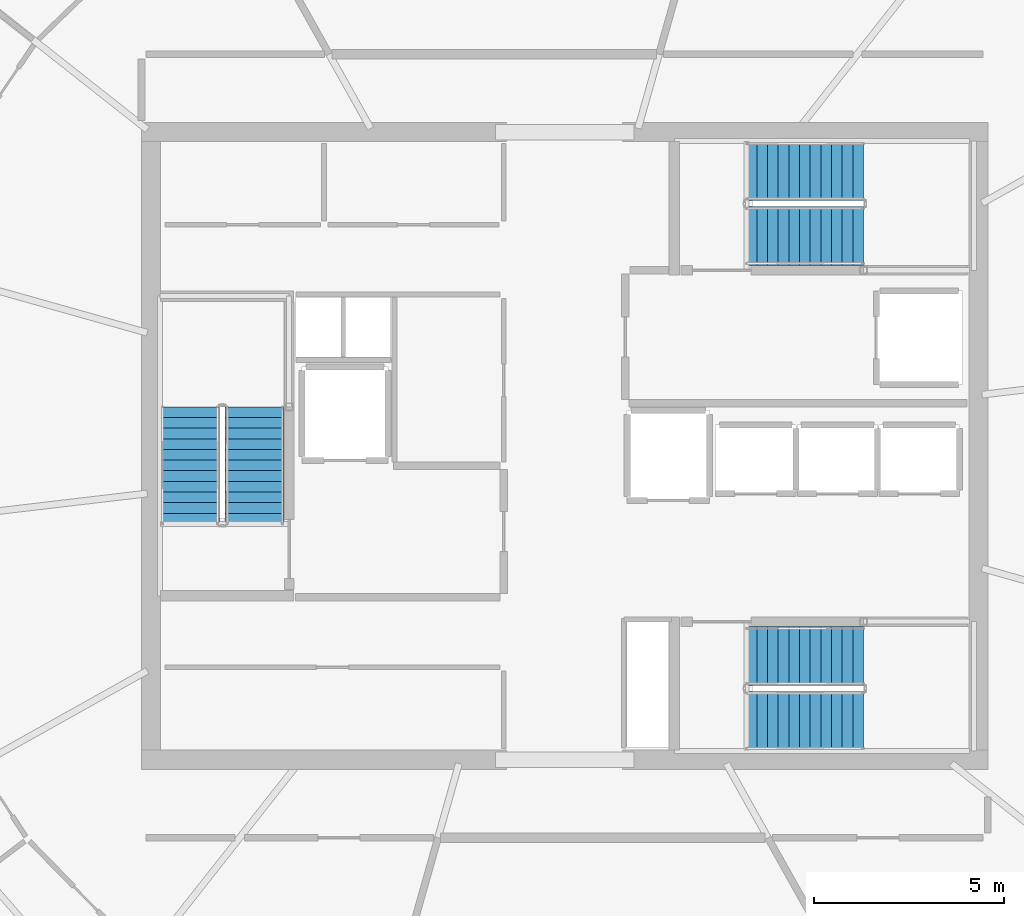
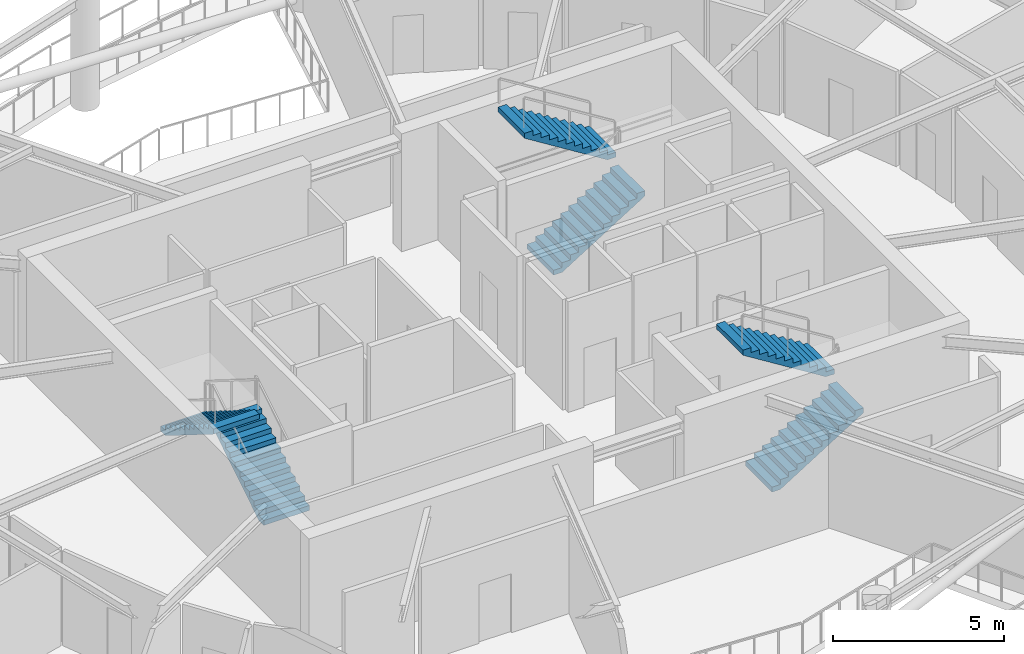
# One storey, part 17 of 22: 6 stair flights, 3 elements without a shape of their own.
"""IFC4 building model written with IfcOpenShell, lengths in metres."""

from ifc_helpers import new_model, si_unit, direction, frame, origin, place, context, subcontext, project, spatial, polyline, outline, extrude, material, type_object, element, aggregate, save


model = new_model("IFC4")

# Units and contexts
model_context = context("Model", 3, precision=1e-05, world=origin(), true_north=direction((0.0, 1.0)))
body_context = subcontext(model_context, "Body", "Model", "MODEL_VIEW")
ifc_project = project(units=[si_unit("LENGTHUNIT", "METRE"), si_unit("AREAUNIT", "SQUARE_METRE"), si_unit("VOLUMEUNIT", "CUBIC_METRE"), si_unit("PLANEANGLEUNIT", "RADIAN"), si_unit("MASSUNIT", "GRAM", prefix="KILO")], contexts=[model_context])

# Site, building, storey
site_placement = place(None, origin())
site = spatial("IfcSite", under=ifc_project, at=site_placement, CompositionType="ELEMENT")
building_placement = place(site_placement, origin())
building = spatial("IfcBuilding", under=site, at=building_placement, Name="Kazma Halo Residences", CompositionType="ELEMENT")
storey_placement = place(building_placement, frame((0.0, 0.0, 326.300048828125)))
storey = spatial("IfcBuildingStorey", under=building, at=storey_placement, Name="L82", CompositionType="ELEMENT", Elevation=326.300048828125)

# Stair, stair flights
ifc_material = material(Name="Concrete C50/60", Category="concrete")
stair_type = type_object("IfcStairType", Name="STR-RES2", PredefinedType="HALF_TURN_STAIR", material=ifc_material)
stair_1_placement = place(storey_placement, origin())
stair_1 = element("IfcStair", 1, at=stair_1_placement, inside=storey, type_object=stair_type, Name="L82 Core exit stair ST-01", PredefinedType="HALF_TURN_STAIR")
stair_flight_type = type_object("IfcStairFlightType", Name="STR-RES2-FLT", PredefinedType="STRAIGHT", material=ifc_material)
stair_flight_1_placement = place(storey_placement, frame((40.27490234375, 39.949951171875, 0.0), z_axis=(0.0, 0.0, 1.0), x_axis=(0.0, 1.0, 0.0)))
stair_flight_1 = element("IfcStairFlight", 2, at=stair_flight_1_placement, type_object=stair_flight_type, Name="ST-01 flight 1", NumberOfRisers=12, NumberOfTreads=11, PredefinedType="STRAIGHT", RiserHeight=0.175, TreadLength=0.28, context=body_context, shape_type="SweptSolid", body=[
    extrude(outline(polyline([(0.0, 0.0), (0.0, 0.175048828125), (0.280029296875, 0.175048828125), (0.280029296875, 0.35009765625), (0.56005859375, 0.35009765625), (0.56005859375, 0.52490234375), (0.840087890625, 0.52490234375), (0.840087890625, 0.699951171875), (1.1201171875, 0.699951171875), (1.1201171875, 0.875), (1.39990234375, 0.875), (1.39990234375, 1.050048828125), (1.679931640625, 1.050048828125), (1.679931640625, 1.22509765625), (1.9599609375, 1.22509765625), (1.9599609375, 1.39990234375), (2.239990234375, 1.39990234375), (2.239990234375, 1.574951171875), (2.52001953125, 1.574951171875), (2.52001953125, 1.75), (2.800048828125, 1.75), (2.800048828125, 1.925048828125), (3.080078125, 1.925048828125), (3.080078125, 2.10009765625), (3.080078125, 1.748291015625), (0.28271484375, 0.0), (0.0, 0.0)])), frame((0.0, 0.77490234375, 0.0), z_axis=(0.0, -1.0, 0.0), x_axis=(1.0, 0.0, 0.0)), (0.0, 0.0, 1.0), 1.550048828125),
])
stair_flight_2_placement = place(storey_placement, frame((38.574951171875, 43.030029296875, 2.099853515625), z_axis=(0.0, 0.0, 1.0), x_axis=(0.0, -1.0, 0.0)))
stair_flight_2 = element("IfcStairFlight", 3, at=stair_flight_2_placement, type_object=stair_flight_type, Name="ST-01 flight 2", NumberOfRisers=12, NumberOfTreads=11, PredefinedType="STRAIGHT", RiserHeight=0.175, TreadLength=0.28, context=body_context, shape_type="SweptSolid", body=[
    extrude(outline(polyline([(0.0, 0.0), (0.0, 0.175048828125), (0.280029296875, 0.175048828125), (0.280029296875, 0.35009765625), (0.56005859375, 0.35009765625), (0.56005859375, 0.52490234375), (0.840087890625, 0.52490234375), (0.840087890625, 0.699951171875), (1.1201171875, 0.699951171875), (1.1201171875, 0.875), (1.39990234375, 0.875), (1.39990234375, 1.050048828125), (1.679931640625, 1.050048828125), (1.679931640625, 1.22509765625), (1.9599609375, 1.22509765625), (1.9599609375, 1.39990234375), (2.239990234375, 1.39990234375), (2.239990234375, 1.574951171875), (2.52001953125, 1.574951171875), (2.52001953125, 1.75), (2.800048828125, 1.75), (2.800048828125, 1.925048828125), (3.080078125, 1.925048828125), (3.080078125, 2.10009765625), (3.080078125, 1.748291015625), (0.28271484375, 0.0), (0.0, 0.0)])), frame((0.0, 0.77490234375, 0.0), z_axis=(0.0, -1.0, 0.0), x_axis=(1.0, 0.0, 0.0)), (0.0, 0.0, 1.0), 1.550048828125),
])
aggregate(stair_1, [stair_flight_1, stair_flight_2])

stair_2_placement = place(storey_placement, origin())
stair_2 = element("IfcStair", 4, at=stair_2_placement, inside=storey, type_object=stair_type, Name="L82 Core exit stair ST-02", PredefinedType="HALF_TURN_STAIR")
stair_flight_3_placement = place(storey_placement, frame((53.199951171875, 47.52490234375, 0.0), z_axis=(0.0, 0.0, 1.0), x_axis=(1.0, 0.0, 0.0)))
stair_flight_3 = element("IfcStairFlight", 5, at=stair_flight_3_placement, type_object=stair_flight_type, Name="ST-02 flight 1", NumberOfRisers=12, NumberOfTreads=11, PredefinedType="STRAIGHT", RiserHeight=0.175, TreadLength=0.28, context=body_context, shape_type="SweptSolid", body=[
    extrude(outline(polyline([(0.0, 0.0), (0.0, 0.175048828125), (0.280029296875, 0.175048828125), (0.280029296875, 0.35009765625), (0.56005859375, 0.35009765625), (0.56005859375, 0.52490234375), (0.840087890625, 0.52490234375), (0.840087890625, 0.699951171875), (1.1201171875, 0.699951171875), (1.1201171875, 0.875), (1.39990234375, 0.875), (1.39990234375, 1.050048828125), (1.679931640625, 1.050048828125), (1.679931640625, 1.22509765625), (1.9599609375, 1.22509765625), (1.9599609375, 1.39990234375), (2.239990234375, 1.39990234375), (2.239990234375, 1.574951171875), (2.52001953125, 1.574951171875), (2.52001953125, 1.75), (2.800048828125, 1.75), (2.800048828125, 1.925048828125), (3.080078125, 1.925048828125), (3.080078125, 2.10009765625), (3.080078125, 1.748291015625), (0.28271484375, 0.0), (0.0, 0.0)])), frame((0.0, 0.77490234375, 0.0), z_axis=(0.0, -1.0, 0.0), x_axis=(1.0, 0.0, 0.0)), (0.0, 0.0, 1.0), 1.550048828125),
])
stair_flight_4_placement = place(storey_placement, frame((56.280029296875, 49.22509765625, 2.099853515625), z_axis=(0.0, 0.0, 1.0), x_axis=(-1.0, 0.0, 0.0)))
stair_flight_4 = element("IfcStairFlight", 6, at=stair_flight_4_placement, type_object=stair_flight_type, Name="ST-02 flight 2", NumberOfRisers=12, NumberOfTreads=11, PredefinedType="STRAIGHT", RiserHeight=0.175, TreadLength=0.28, context=body_context, shape_type="SweptSolid", body=[
    extrude(outline(polyline([(0.0, 0.0), (0.0, 0.175048828125), (0.280029296875, 0.175048828125), (0.280029296875, 0.35009765625), (0.56005859375, 0.35009765625), (0.56005859375, 0.52490234375), (0.840087890625, 0.52490234375), (0.840087890625, 0.699951171875), (1.1201171875, 0.699951171875), (1.1201171875, 0.875), (1.39990234375, 0.875), (1.39990234375, 1.050048828125), (1.679931640625, 1.050048828125), (1.679931640625, 1.22509765625), (1.9599609375, 1.22509765625), (1.9599609375, 1.39990234375), (2.239990234375, 1.39990234375), (2.239990234375, 1.574951171875), (2.52001953125, 1.574951171875), (2.52001953125, 1.75), (2.800048828125, 1.75), (2.800048828125, 1.925048828125), (3.080078125, 1.925048828125), (3.080078125, 2.10009765625), (3.080078125, 1.748291015625), (0.28271484375, 0.0), (0.0, 0.0)])), frame((0.0, 0.77490234375, 0.0), z_axis=(0.0, -1.0, 0.0), x_axis=(1.0, 0.0, 0.0)), (0.0, 0.0, 1.0), 1.550048828125),
])
aggregate(stair_2, [stair_flight_3, stair_flight_4])

stair_3_placement = place(storey_placement, origin())
stair_3 = element("IfcStair", 7, at=stair_3_placement, inside=storey, type_object=stair_type, Name="L82 Core exit stair ST-03", PredefinedType="HALF_TURN_STAIR")
stair_flight_5_placement = place(storey_placement, frame((53.199951171875, 34.77490234375, 0.0), z_axis=(0.0, 0.0, 1.0), x_axis=(1.0, 0.0, 0.0)))
stair_flight_5 = element("IfcStairFlight", 8, at=stair_flight_5_placement, type_object=stair_flight_type, Name="ST-03 flight 1", NumberOfRisers=12, NumberOfTreads=11, PredefinedType="STRAIGHT", RiserHeight=0.175, TreadLength=0.28, context=body_context, shape_type="SweptSolid", body=[
    extrude(outline(polyline([(0.0, 0.0), (0.0, 0.175048828125), (0.280029296875, 0.175048828125), (0.280029296875, 0.35009765625), (0.56005859375, 0.35009765625), (0.56005859375, 0.52490234375), (0.840087890625, 0.52490234375), (0.840087890625, 0.699951171875), (1.1201171875, 0.699951171875), (1.1201171875, 0.875), (1.39990234375, 0.875), (1.39990234375, 1.050048828125), (1.679931640625, 1.050048828125), (1.679931640625, 1.22509765625), (1.9599609375, 1.22509765625), (1.9599609375, 1.39990234375), (2.239990234375, 1.39990234375), (2.239990234375, 1.574951171875), (2.52001953125, 1.574951171875), (2.52001953125, 1.75), (2.800048828125, 1.75), (2.800048828125, 1.925048828125), (3.080078125, 1.925048828125), (3.080078125, 2.10009765625), (3.080078125, 1.748291015625), (0.28271484375, 0.0), (0.0, 0.0)])), frame((0.0, 0.77490234375, 0.0), z_axis=(0.0, -1.0, 0.0), x_axis=(1.0, 0.0, 0.0)), (0.0, 0.0, 1.0), 1.550048828125),
])
stair_flight_6_placement = place(storey_placement, frame((56.280029296875, 36.47509765625, 2.099853515625), z_axis=(0.0, 0.0, 1.0), x_axis=(-1.0, 0.0, 0.0)))
stair_flight_6 = element("IfcStairFlight", 9, at=stair_flight_6_placement, type_object=stair_flight_type, Name="ST-03 flight 2", NumberOfRisers=12, NumberOfTreads=11, PredefinedType="STRAIGHT", RiserHeight=0.175, TreadLength=0.28, context=body_context, shape_type="SweptSolid", body=[
    extrude(outline(polyline([(0.0, 0.0), (0.0, 0.175048828125), (0.280029296875, 0.175048828125), (0.280029296875, 0.35009765625), (0.56005859375, 0.35009765625), (0.56005859375, 0.52490234375), (0.840087890625, 0.52490234375), (0.840087890625, 0.699951171875), (1.1201171875, 0.699951171875), (1.1201171875, 0.875), (1.39990234375, 0.875), (1.39990234375, 1.050048828125), (1.679931640625, 1.050048828125), (1.679931640625, 1.22509765625), (1.9599609375, 1.22509765625), (1.9599609375, 1.39990234375), (2.239990234375, 1.39990234375), (2.239990234375, 1.574951171875), (2.52001953125, 1.574951171875), (2.52001953125, 1.75), (2.800048828125, 1.75), (2.800048828125, 1.925048828125), (3.080078125, 1.925048828125), (3.080078125, 2.10009765625), (3.080078125, 1.748291015625), (0.28271484375, 0.0), (0.0, 0.0)])), frame((0.0, 0.77490234375, 0.0), z_axis=(0.0, -1.0, 0.0), x_axis=(1.0, 0.0, 0.0)), (0.0, 0.0, 1.0), 1.550048828125),
])
aggregate(stair_3, [stair_flight_5, stair_flight_6])

save(model, "model.ifc")
